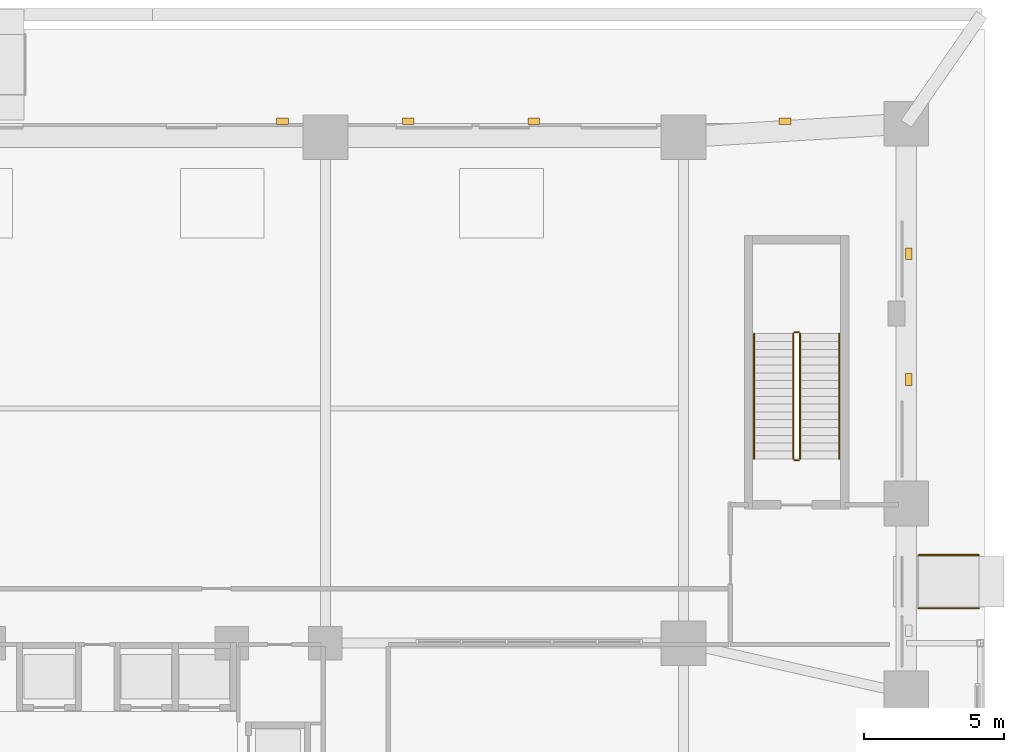
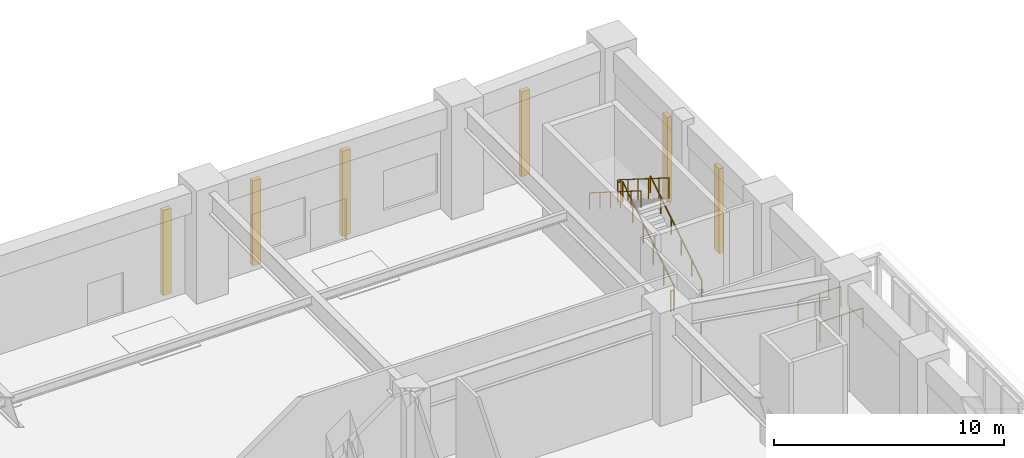
# One storey, part 23 of 24: 8 railings, 6 coverings.
"""IFC4 building model written with IfcOpenShell, lengths in metres."""

from ifc_helpers import new_model, si_unit, derived_unit, direction, frame, origin, origin_2d, place, context, subcontext, project, spatial, rectangle, circle, extrude, material, layer, layer_set, type_object, element, save


model = new_model("IFC4")

# Units and contexts
model_context = context("Model", 3, precision=1e-05, world=origin(), true_north=direction((0.0, 1.0)))
body_context = subcontext(model_context, "Body", "Model", "MODEL_VIEW")
ifc_project = project(units=[si_unit("LENGTHUNIT", "METRE"), si_unit("AREAUNIT", "SQUARE_METRE"), si_unit("VOLUMEUNIT", "CUBIC_METRE"), si_unit("PLANEANGLEUNIT", "RADIAN"), si_unit("MASSUNIT", "GRAM", prefix="KILO"), derived_unit("THERMALTRANSMITTANCEUNIT", [(si_unit("MASSUNIT", "GRAM", prefix="KILO"), 1), (si_unit("TIMEUNIT", "SECOND"), -3), (si_unit("THERMODYNAMICTEMPERATUREUNIT", "KELVIN"), -1)])], contexts=[model_context])

# Site, building, storey
site_placement = place(None, origin())
site = spatial("IfcSite", under=ifc_project, at=site_placement, CompositionType="ELEMENT")
building_placement = place(site_placement, origin())
building = spatial("IfcBuilding", under=site, at=building_placement, Name="Korrvale Station Residences", CompositionType="ELEMENT")
storey_placement = place(building_placement, origin())
storey = spatial("IfcBuildingStorey", under=building, at=storey_placement, Name="L00", CompositionType="ELEMENT", Elevation=0.0)

# Coverings
ifc_material_1 = material(Name="Architectural precast concrete C45/55", Category="concrete")
ifc_layer = layer(ifc_material_1, 0.219970703125, Name="Architectural precast concrete C45/55")
ifc_layer_set = layer_set([ifc_layer], Name="Architectural precast concrete C45/55")
covering_type = type_object("IfcCoveringType", Name="COV-PIER-400", PredefinedType="CLADDING", material=ifc_layer_set)
for number, where, z_axis, x_axis, name in (
    (1, (31.659912109375, 47.68994140625, 0.02490234375), (0.0, 0.0, 1.0), (1.0, 0.0, 0.0), "L00 Architectural Precast Facade Pier 09"),
    (2, (36.159912109375, 47.68994140625, 0.02490234375), (0.0, 0.0, 1.0), (1.0, 0.0, 0.0), "L00 Architectural Precast Facade Pier 10"),
    (3, (40.659912109375, 47.68994140625, 0.02490234375), (0.0, 0.0, 1.0), (1.0, 0.0, 0.0), "L00 Architectural Precast Facade Pier 11"),
    (4, (49.659912109375, 47.68994140625, 0.02490234375), (0.0, 0.0, 1.0), (1.0, 0.0, 0.0), "L00 Architectural Precast Facade Pier 12"),
    (5, (54.090087890625, 42.93994140625, 0.02490234375), (0.0, 0.0, 1.0), (0.0, 1.0, 0.0), "L00 Architectural Precast Facade Pier 19"),
    (6, (54.090087890625, 38.43994140625, 0.02490234375), (0.0, 0.0, 1.0), (0.0, 1.0, 0.0), "L00 Architectural Precast Facade Pier 20"),
):
    element("IfcCovering", number, at=place(storey_placement, frame(where, z_axis=z_axis, x_axis=x_axis)), inside=storey, type_object=covering_type, Name=name, PredefinedType="CLADDING", context=body_context, shape_type="SweptSolid", body=[
        extrude(rectangle(XDim=0.419921875, YDim=0.219970703125, at=origin_2d()), origin(), (0.0, 0.0, 1.0), 4.514892578125),
    ])

# Railings
ifc_material_2 = material(Name="Brushed stainless-steel accessibility ramp guard-handrail", Category="steel")
railing_type_1 = type_object("IfcRailingType", Name="RLG-RMP-1100", PredefinedType="GUARDRAIL", material=ifc_material_2)
for number, where, name in (
    (7, (56.60009765625, 30.25, 0.0), "Accessible Ramp Guard-Handrail R-ACC-5-A"),
    (8, (56.60009765625, 32.14990234375, 0.0), "Accessible Ramp Guard-Handrail R-ACC-5-B"),
):
    element("IfcRailing", number, at=place(storey_placement, frame(where)), inside=storey, type_object=railing_type_1, Name=name, PredefinedType="GUARDRAIL", context=body_context, shape_type="SweptSolid", body=[
        extrude(circle(Radius=0.02392578125, at=origin_2d()), frame((0.0, 0.0, 1.076171875), z_axis=(-1.0, 0.0, 0.0), x_axis=(0.0, -1.0, 0.0)), (0.0, 0.0, 1.0), 2.16015625),
        extrude(circle(Radius=0.02099609375, at=origin_2d()), origin(), (0.0, 0.0, 1.0), 1.052001953125),
        extrude(circle(Radius=0.02099609375, at=origin_2d()), frame((-1.080078125, 0.0, 0.0)), (0.0, 0.0, 1.0), 1.052001953125),
        extrude(circle(Radius=0.02099609375, at=origin_2d()), frame((-2.16015625, 0.0, 0.0)), (0.0, 0.0, 1.0), 1.052001953125),
    ])
ifc_material_3 = material(Name="Brushed stainless-steel continuous stair handrail", Category="steel")
railing_type_2 = type_object("IfcRailingType", Name="RLG-SHND-900", PredefinedType="HANDRAIL", material=ifc_material_3)
railing_1_placement = place(storey_placement, frame((51.60009765625, 35.60009765625, 0.176513671875)))
element("IfcRailing", 9, at=railing_1_placement, inside=storey, type_object=railing_type_2, Name="L00 ST-4 stair handrail 1", PredefinedType="HANDRAIL", context=body_context, shape_type="SweptSolid", body=[
    extrude(circle(Radius=0.02392578125, at=origin_2d()), frame((0.0, 0.0, 0.8759765625), z_axis=(0.0, 0.845997938375, 0.533186166611), x_axis=(-1.0, 0.0, 0.0)), (0.0, 0.0, 1.0), 5.29541015625),
    extrude(circle(Radius=0.02099609375, at=origin_2d()), origin(), (0.0, 0.0, 1.0), 0.851806640625),
    extrude(circle(Radius=0.02099609375, at=origin_2d()), frame((0.0, 0.89599609375, 0.564697265625)), (0.0, 0.0, 1.0), 0.851806640625),
    extrude(circle(Radius=0.02099609375, at=origin_2d()), frame((0.0, 1.7919921875, 1.12939453125)), (0.0, 0.0, 1.0), 0.851806640625),
    extrude(circle(Radius=0.02099609375, at=origin_2d()), frame((0.0, 2.68798828125, 1.694091796875)), (0.0, 0.0, 1.0), 0.851806640625),
    extrude(circle(Radius=0.02099609375, at=origin_2d()), frame((0.0, 3.583984375, 2.2587890625)), (0.0, 0.0, 1.0), 0.851806640625),
    extrude(circle(Radius=0.02099609375, at=origin_2d()), frame((0.0, 4.47998046875, 2.823486328125)), (0.0, 0.0, 1.0), 0.851806640625),
])
railing_2_placement = place(storey_placement, frame((48.550048828125, 40.080078125, 3.176513671875)))
element("IfcRailing", 10, at=railing_2_placement, inside=storey, type_object=railing_type_2, Name="L00 ST-4 stair handrail 2", PredefinedType="HANDRAIL", context=body_context, shape_type="SweptSolid", body=[
    extrude(circle(Radius=0.02392578125, at=origin_2d()), frame((0.0, 0.0, 0.8759765625), z_axis=(0.0, -0.845997938375, 0.533186166611), x_axis=(1.0, 0.0, 0.0)), (0.0, 0.0, 1.0), 5.29541015625),
    extrude(circle(Radius=0.02099609375, at=origin_2d()), origin(), (0.0, 0.0, 1.0), 0.851806640625),
    extrude(circle(Radius=0.02099609375, at=origin_2d()), frame((0.0, -0.89599609375, 0.564697265625)), (0.0, 0.0, 1.0), 0.851806640625),
    extrude(circle(Radius=0.02099609375, at=origin_2d()), frame((0.0, -1.7919921875, 1.12939453125)), (0.0, 0.0, 1.0), 0.851806640625),
    extrude(circle(Radius=0.02099609375, at=origin_2d()), frame((0.0, -2.68798828125, 1.694091796875)), (0.0, 0.0, 1.0), 0.851806640625),
    extrude(circle(Radius=0.02099609375, at=origin_2d()), frame((0.0, -3.583984375, 2.2587890625)), (0.0, 0.0, 1.0), 0.851806640625),
    extrude(circle(Radius=0.02099609375, at=origin_2d()), frame((0.0, -4.47998046875, 2.823486328125)), (0.0, 0.0, 1.0), 0.851806640625),
])
ifc_material_4 = material(Name="Galvanised painted tubular steel stair guard", Category="steel")
railing_type_3 = type_object("IfcRailingType", Name="RLG-STR-1100", PredefinedType="GUARDRAIL", material=ifc_material_4)
railing_3_placement = place(storey_placement, frame((50.199951171875, 35.60009765625, 0.176513671875)))
element("IfcRailing", 11, at=railing_3_placement, inside=storey, type_object=railing_type_3, Name="L00 ST-4 stair guard 1", PredefinedType="GUARDRAIL", context=body_context, shape_type="SweptSolid", body=[
    extrude(circle(Radius=0.02392578125, at=origin_2d()), frame((0.0, 0.0, 1.076171875), z_axis=(0.0, 0.845997938375, 0.533186166611), x_axis=(-1.0, 0.0, 0.0)), (0.0, 0.0, 1.0), 5.29541015625),
    extrude(circle(Radius=0.02099609375, at=origin_2d()), origin(), (0.0, 0.0, 1.0), 1.052001953125),
    extrude(circle(Radius=0.02099609375, at=origin_2d()), frame((0.0, 0.89599609375, 0.564697265625)), (0.0, 0.0, 1.0), 1.052001953125),
    extrude(circle(Radius=0.02099609375, at=origin_2d()), frame((0.0, 1.7919921875, 1.12939453125)), (0.0, 0.0, 1.0), 1.052001953125),
    extrude(circle(Radius=0.02099609375, at=origin_2d()), frame((0.0, 2.68798828125, 1.694091796875)), (0.0, 0.0, 1.0), 1.052001953125),
    extrude(circle(Radius=0.02099609375, at=origin_2d()), frame((0.0, 3.583984375, 2.2587890625)), (0.0, 0.0, 1.0), 1.052001953125),
    extrude(circle(Radius=0.02099609375, at=origin_2d()), frame((0.0, 4.47998046875, 2.823486328125)), (0.0, 0.0, 1.0), 1.052001953125),
])
railing_4_placement = place(storey_placement, frame((50.14990234375, 40.1298828125, 3.0)))
element("IfcRailing", 12, at=railing_4_placement, inside=storey, type_object=railing_type_3, Name="L00 ST-4 stair guard 2", PredefinedType="GUARDRAIL", context=body_context, shape_type="SweptSolid", body=[
    extrude(circle(Radius=0.02392578125, at=origin_2d()), frame((0.0, 0.0, 1.076171875), z_axis=(-1.0, 0.0, 0.0), x_axis=(0.0, -1.0, 0.0)), (0.0, 0.0, 1.0), 0.14990234375),
    extrude(circle(Radius=0.02099609375, at=origin_2d()), origin(), (0.0, 0.0, 1.0), 1.052001953125),
    extrude(circle(Radius=0.02099609375, at=origin_2d()), frame((-0.14990234375, 0.0, 0.0)), (0.0, 0.0, 1.0), 1.052001953125),
])
railing_5_placement = place(storey_placement, frame((49.949951171875, 40.080078125, 3.176513671875)))
element("IfcRailing", 13, at=railing_5_placement, inside=storey, type_object=railing_type_3, Name="L00 ST-4 stair guard 3", PredefinedType="GUARDRAIL", context=body_context, shape_type="SweptSolid", body=[
    extrude(circle(Radius=0.02392578125, at=origin_2d()), frame((0.0, 0.0, 1.076171875), z_axis=(0.0, -0.845997938375, 0.533186166611), x_axis=(1.0, 0.0, 0.0)), (0.0, 0.0, 1.0), 5.29541015625),
    extrude(circle(Radius=0.02099609375, at=origin_2d()), origin(), (0.0, 0.0, 1.0), 1.052001953125),
    extrude(circle(Radius=0.02099609375, at=origin_2d()), frame((0.0, -0.89599609375, 0.564697265625)), (0.0, 0.0, 1.0), 1.052001953125),
    extrude(circle(Radius=0.02099609375, at=origin_2d()), frame((0.0, -1.7919921875, 1.12939453125)), (0.0, 0.0, 1.0), 1.052001953125),
    extrude(circle(Radius=0.02099609375, at=origin_2d()), frame((0.0, -2.68798828125, 1.694091796875)), (0.0, 0.0, 1.0), 1.052001953125),
    extrude(circle(Radius=0.02099609375, at=origin_2d()), frame((0.0, -3.583984375, 2.2587890625)), (0.0, 0.0, 1.0), 1.052001953125),
    extrude(circle(Radius=0.02099609375, at=origin_2d()), frame((0.0, -4.47998046875, 2.823486328125)), (0.0, 0.0, 1.0), 1.052001953125),
])
railing_6_placement = place(storey_placement, frame((50.14990234375, 35.550048828125, 0.0)))
element("IfcRailing", 14, at=railing_6_placement, inside=storey, type_object=railing_type_3, Name="L00 ST-4 stair guard 4", PredefinedType="GUARDRAIL", context=body_context, shape_type="SweptSolid", body=[
    extrude(circle(Radius=0.02392578125, at=origin_2d()), frame((0.0, 0.0, 1.076171875), z_axis=(-1.0, 0.0, 0.0), x_axis=(0.0, -1.0, 0.0)), (0.0, 0.0, 1.0), 0.14990234375),
    extrude(circle(Radius=0.02099609375, at=origin_2d()), origin(), (0.0, 0.0, 1.0), 1.052001953125),
    extrude(circle(Radius=0.02099609375, at=origin_2d()), frame((-0.14990234375, 0.0, 0.0)), (0.0, 0.0, 1.0), 1.052001953125),
])

save(model, "model.ifc")
